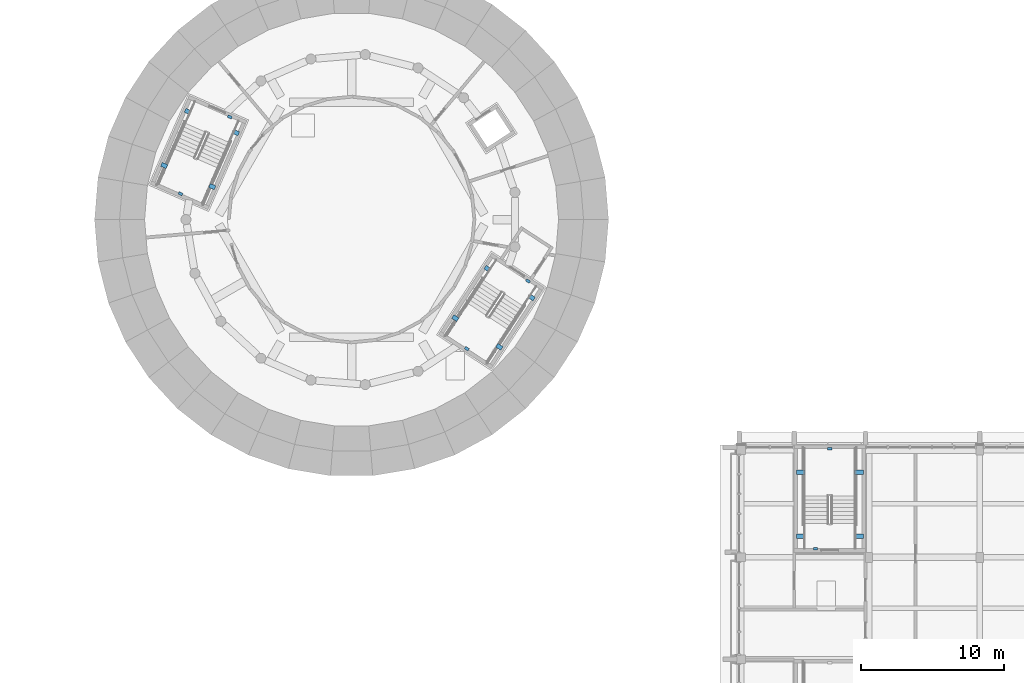
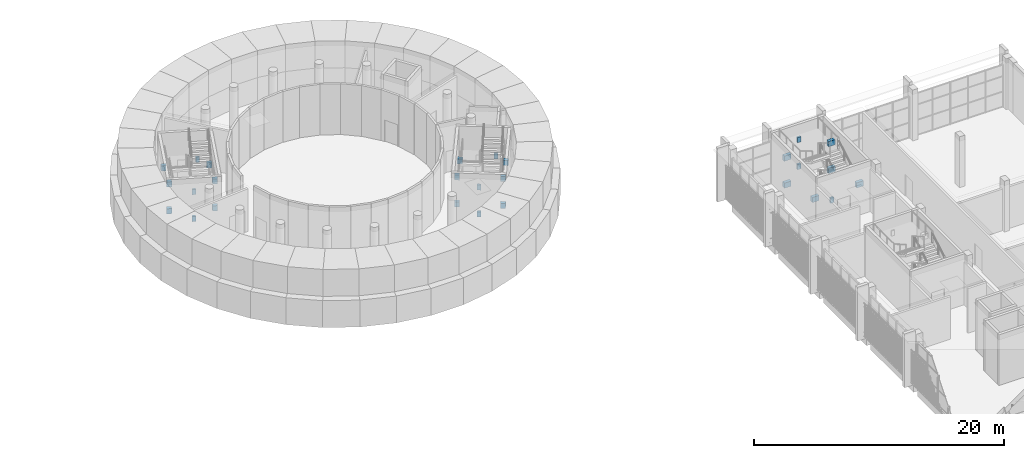
# One storey, part 55 of 125: 27 beams.
"""IFC4 building model written with IfcOpenShell, lengths in metres."""

from ifc_helpers import new_model, si_unit, direction, frame, origin, origin_2d, place, context, subcontext, project, spatial, rectangle, extrude, material, material_profile, profile_set, type_object, element, save


model = new_model("IFC4")

# Units and contexts
model_context = context("Model", 3, precision=1e-05, world=origin(), true_north=direction((0.0, 1.0)))
body_context = subcontext(model_context, "Body", "Model", "MODEL_VIEW")
ifc_project = project(units=[si_unit("LENGTHUNIT", "METRE"), si_unit("AREAUNIT", "SQUARE_METRE"), si_unit("VOLUMEUNIT", "CUBIC_METRE"), si_unit("PLANEANGLEUNIT", "RADIAN"), si_unit("MASSUNIT", "GRAM", prefix="KILO")], contexts=[model_context])

# Site, building, storey
site_placement = place(None, origin())
site = spatial("IfcSite", under=ifc_project, at=site_placement, CompositionType="ELEMENT")
building_placement = place(site_placement, origin())
building = spatial("IfcBuilding", under=site, at=building_placement, Name="Sun Court Science Centre", CompositionType="ELEMENT")
storey_placement = place(building_placement, frame((0.0, 0.0, 6.0)))
storey = spatial("IfcBuildingStorey", under=building, at=storey_placement, Name="L01", CompositionType="ELEMENT", Elevation=6.0)

# Beams
ifc_material = material(Name="Concrete C25/30", Category="concrete")
ifc_material_profile = material_profile(ifc_material, rectangle(XDim=0.300048828125, YDim=0.5, at=origin_2d()), Name="RC 300x500")
ifc_profile_set = profile_set([ifc_material_profile], Name="Concrete C25/30")
beam_type = type_object("IfcBeamType", Name="RC landing trimmer 300x500", PredefinedType="BEAM", material=ifc_profile_set)
for number, where, z_axis, x_axis, name in (
    (1, (86.85009765625, 79.10400390625, 0.862548828125), (-1.0, 0.0, 0.0), (0.0, -1.0, 0.0), "SL4 landing 1 trimmer beam 10"),
    (2, (82.14990234375, 79.10400390625, 0.862548828125), (1.0, 0.0, 0.0), (0.0, 1.0, 0.0), "SL4 landing 1 trimmer beam 11"),
):
    element("IfcBeam", number, at=place(storey_placement, frame(where, z_axis=z_axis, x_axis=x_axis)), inside=storey, type_object=beam_type, Name=name, PredefinedType="BEAM", context=body_context, shape_type="SweptSolid", body=[
        extrude(rectangle(XDim=0.300048828125, YDim=0.5, at=origin_2d()), origin(), (0.0, 0.0, 1.0), 0.6171875),
    ])
beam_1_placement = place(storey_placement, frame((84.5, 80.85009765625, 0.862548828125), z_axis=(0.0, -1.0, 0.0), x_axis=(1.0, 0.0, 0.0)))
element("IfcBeam", 3, at=beam_1_placement, inside=storey, type_object=beam_type, Name="SL4 landing 1 trimmer beam 12", PredefinedType="BEAM", context=body_context, shape_type="SweptSolid", body=[
    extrude(rectangle(XDim=0.300048828125, YDim=0.5, at=origin_2d()), origin(), (0.0, 0.0, 1.0), 0.190185546875),
])
for number, where, z_axis, x_axis, name in (
    (4, (86.85009765625, 74.6240234375, 2.175048828125), (-1.0, 0.0, 0.0), (0.0, -1.0, 0.0), "SL4 landing 2 trimmer beam 13"),
    (5, (82.14990234375, 74.6240234375, 2.175048828125), (1.0, 0.0, 0.0), (0.0, 1.0, 0.0), "SL4 landing 2 trimmer beam 14"),
):
    element("IfcBeam", number, at=place(storey_placement, frame(where, z_axis=z_axis, x_axis=x_axis)), inside=storey, type_object=beam_type, Name=name, PredefinedType="BEAM", context=body_context, shape_type="SweptSolid", body=[
        extrude(rectangle(XDim=0.300048828125, YDim=0.5, at=origin_2d()), origin(), (0.0, 0.0, 1.0), 0.6171875),
    ])
beam_2_placement = place(storey_placement, frame((83.5, 73.64990234375, 2.175048828125), z_axis=(0.0, 1.0, 0.0), x_axis=(-1.0, 0.0, 0.0)))
element("IfcBeam", 6, at=beam_2_placement, inside=storey, type_object=beam_type, Name="SL4 landing 2 trimmer beam 15", PredefinedType="BEAM", context=body_context, shape_type="SweptSolid", body=[
    extrude(rectangle(XDim=0.300048828125, YDim=0.5, at=origin_2d()), origin(), (0.0, 0.0, 1.0), 0.190185546875),
])
for number, where, z_axis, x_axis, name in (
    (7, (86.85009765625, 79.10400390625, 3.487548828125), (-1.0, 0.0, 0.0), (0.0, -1.0, 0.0), "SL4 landing 3 trimmer beam 16"),
    (8, (82.14990234375, 79.10400390625, 3.487548828125), (1.0, 0.0, 0.0), (0.0, 1.0, 0.0), "SL4 landing 3 trimmer beam 17"),
):
    element("IfcBeam", number, at=place(storey_placement, frame(where, z_axis=z_axis, x_axis=x_axis)), inside=storey, type_object=beam_type, Name=name, PredefinedType="BEAM", context=body_context, shape_type="SweptSolid", body=[
        extrude(rectangle(XDim=0.300048828125, YDim=0.5, at=origin_2d()), origin(), (0.0, 0.0, 1.0), 0.6171875),
    ])
beam_3_placement = place(storey_placement, frame((84.5, 80.85009765625, 3.487548828125), z_axis=(0.0, -1.0, 0.0), x_axis=(1.0, 0.0, 0.0)))
element("IfcBeam", 9, at=beam_3_placement, inside=storey, type_object=beam_type, Name="SL4 landing 3 trimmer beam 18", PredefinedType="BEAM", context=body_context, shape_type="SweptSolid", body=[
    extrude(rectangle(XDim=0.300048828125, YDim=0.5, at=origin_2d()), origin(), (0.0, 0.0, 1.0), 0.190185546875),
])
for number, where, z_axis, x_axis, name in (
    (10, (58.092041015625, 90.01171875, 0.862548828125), (0.837237681935, -0.546839157292, 0.0), (0.546839157292, 0.837237681935, 0.0), "PS1 landing 1 trimmer beam 10"),
    (11, (61.5244140625, 87.769287109375, 0.862548828125), (-0.837237681935, 0.546839157292, 0.0), (-0.546839157292, -0.837237681935, 0.0), "PS1 landing 1 trimmer beam 11"),
):
    element("IfcBeam", number, at=place(storey_placement, frame(where, z_axis=z_axis, x_axis=x_axis)), inside=storey, type_object=beam_type, Name=name, PredefinedType="BEAM", context=body_context, shape_type="SweptSolid", body=[
        extrude(rectangle(XDim=0.300048828125, YDim=0.5, at=origin_2d()), origin(), (0.0, 0.0, 1.0), 0.4169921875),
    ])
beam_4_placement = place(storey_placement, frame((59.017333984375, 87.679931640625, 0.862548828125), z_axis=(0.546660080791, 0.837354617871, 0.0), x_axis=(-0.837354617871, 0.546660080791, 0.0)))
element("IfcBeam", 12, at=beam_4_placement, inside=storey, type_object=beam_type, Name="PS1 landing 1 trimmer beam 12", PredefinedType="BEAM", context=body_context, shape_type="SweptSolid", body=[
    extrude(rectangle(XDim=0.300048828125, YDim=0.5, at=origin_2d()), origin(), (0.0, 0.0, 1.0), 0.189697265625),
])
for number, where, z_axis, x_axis, name in (
    (13, (60.350830078125, 93.46923828125, 2.175048828125), (0.837237681935, -0.546839157292, 0.0), (0.546839157292, 0.837237681935, 0.0), "PS1 landing 2 trimmer beam 13"),
    (14, (63.783203125, 91.226806640625, 2.175048828125), (-0.837237681935, 0.546839157292, 0.0), (-0.546839157292, -0.837237681935, 0.0), "PS1 landing 2 trimmer beam 14"),
):
    element("IfcBeam", number, at=place(storey_placement, frame(where, z_axis=z_axis, x_axis=x_axis)), inside=storey, type_object=beam_type, Name=name, PredefinedType="BEAM", context=body_context, shape_type="SweptSolid", body=[
        extrude(rectangle(XDim=0.300048828125, YDim=0.5, at=origin_2d()), origin(), (0.0, 0.0, 1.0), 0.4169921875),
    ])
beam_5_placement = place(storey_placement, frame((63.40966796875, 92.574462890625, 2.175048828125), z_axis=(-0.547561006848, -0.836765763986, 0.0), x_axis=(0.836765763986, -0.547561006848, 0.0)))
element("IfcBeam", 15, at=beam_5_placement, inside=storey, type_object=beam_type, Name="PS1 landing 2 trimmer beam 15", PredefinedType="BEAM", context=body_context, shape_type="SweptSolid", body=[
    extrude(rectangle(XDim=0.300048828125, YDim=0.5, at=origin_2d()), origin(), (0.0, 0.0, 1.0), 0.18994140625),
])
for number, where, z_axis, x_axis, name in (
    (16, (58.092041015625, 90.01171875, 3.487548828125), (0.837237681935, -0.546839157292, 0.0), (0.546839157292, 0.837237681935, 0.0), "PS1 landing 3 trimmer beam 16"),
    (17, (61.5244140625, 87.769287109375, 3.487548828125), (-0.837237681935, 0.546839157292, 0.0), (-0.546839157292, -0.837237681935, 0.0), "PS1 landing 3 trimmer beam 17"),
):
    element("IfcBeam", number, at=place(storey_placement, frame(where, z_axis=z_axis, x_axis=x_axis)), inside=storey, type_object=beam_type, Name=name, PredefinedType="BEAM", context=body_context, shape_type="SweptSolid", body=[
        extrude(rectangle(XDim=0.300048828125, YDim=0.5, at=origin_2d()), origin(), (0.0, 0.0, 1.0), 0.4169921875),
    ])
beam_6_placement = place(storey_placement, frame((59.017333984375, 87.679931640625, 3.487548828125), z_axis=(0.546660080791, 0.837354617871, 0.0), x_axis=(-0.837354617871, 0.546660080791, 0.0)))
element("IfcBeam", 18, at=beam_6_placement, inside=storey, type_object=beam_type, Name="PS1 landing 3 trimmer beam 18", PredefinedType="BEAM", context=body_context, shape_type="SweptSolid", body=[
    extrude(rectangle(XDim=0.300048828125, YDim=0.5, at=origin_2d()), origin(), (0.0, 0.0, 1.0), 0.189697265625),
])
for number, where, z_axis, x_axis, name in (
    (19, (37.683349609375, 100.671142578125, 0.862548828125), (0.915875049438, -0.401463440201, 0.0), (0.401463440201, 0.915875049438, 0.0), "PS2 landing 1 trimmer beam 10"),
    (20, (41.438232421875, 99.0244140625, 0.862548828125), (-0.915875049438, 0.401463440201, 0.0), (-0.401463440201, -0.915875049438, 0.0), "PS2 landing 1 trimmer beam 11"),
):
    element("IfcBeam", number, at=place(storey_placement, frame(where, z_axis=z_axis, x_axis=x_axis)), inside=storey, type_object=beam_type, Name=name, PredefinedType="BEAM", context=body_context, shape_type="SweptSolid", body=[
        extrude(rectangle(XDim=0.300048828125, YDim=0.5, at=origin_2d()), origin(), (0.0, 0.0, 1.0), 0.417236328125),
    ])
beam_7_placement = place(storey_placement, frame((38.97998046875, 98.523681640625, 0.862548828125), z_axis=(0.401358633124, 0.915920983282, 0.0), x_axis=(-0.915920983282, 0.401358633124, 0.0)))
element("IfcBeam", 21, at=beam_7_placement, inside=storey, type_object=beam_type, Name="PS2 landing 1 trimmer beam 12", PredefinedType="BEAM", context=body_context, shape_type="SweptSolid", body=[
    extrude(rectangle(XDim=0.300048828125, YDim=0.5, at=origin_2d()), origin(), (0.0, 0.0, 1.0), 0.189697265625),
])
for number, where, z_axis, x_axis, name in (
    (22, (39.342529296875, 104.453369140625, 2.175048828125), (0.915780651359, -0.401678725596, 0.0), (0.401678725596, 0.915780651359, 0.0), "PS2 landing 2 trimmer beam 13"),
    (23, (43.09716796875, 102.806396484375, 2.175048828125), (-0.915780651359, 0.401678725596, 0.0), (-0.401678725596, -0.915780651359, 0.0), "PS2 landing 2 trimmer beam 14"),
):
    element("IfcBeam", number, at=place(storey_placement, frame(where, z_axis=z_axis, x_axis=x_axis)), inside=storey, type_object=beam_type, Name=name, PredefinedType="BEAM", context=body_context, shape_type="SweptSolid", body=[
        extrude(rectangle(XDim=0.300048828125, YDim=0.5, at=origin_2d()), origin(), (0.0, 0.0, 1.0), 0.4169921875),
    ])
beam_8_placement = place(storey_placement, frame((42.5068359375, 104.074462890625, 2.175048828125), z_axis=(-0.40196380082, -0.915655559056, 0.0), x_axis=(0.915655559056, -0.40196380082, 0.0)))
element("IfcBeam", 24, at=beam_8_placement, inside=storey, type_object=beam_type, Name="PS2 landing 2 trimmer beam 15", PredefinedType="BEAM", context=body_context, shape_type="SweptSolid", body=[
    extrude(rectangle(XDim=0.300048828125, YDim=0.5, at=origin_2d()), origin(), (0.0, 0.0, 1.0), 0.190185546875),
])
for number, where, z_axis, x_axis, name in (
    (25, (37.683349609375, 100.671142578125, 3.487548828125), (0.915875049438, -0.401463440201, 0.0), (0.401463440201, 0.915875049438, 0.0), "PS2 landing 3 trimmer beam 16"),
    (26, (41.438232421875, 99.0244140625, 3.487548828125), (-0.915875049438, 0.401463440201, 0.0), (-0.401463440201, -0.915875049438, 0.0), "PS2 landing 3 trimmer beam 17"),
):
    element("IfcBeam", number, at=place(storey_placement, frame(where, z_axis=z_axis, x_axis=x_axis)), inside=storey, type_object=beam_type, Name=name, PredefinedType="BEAM", context=body_context, shape_type="SweptSolid", body=[
        extrude(rectangle(XDim=0.300048828125, YDim=0.5, at=origin_2d()), origin(), (0.0, 0.0, 1.0), 0.417236328125),
    ])
beam_9_placement = place(storey_placement, frame((38.97998046875, 98.523681640625, 3.487548828125), z_axis=(0.401358633124, 0.915920983282, 0.0), x_axis=(-0.915920983282, 0.401358633124, 0.0)))
element("IfcBeam", 27, at=beam_9_placement, inside=storey, type_object=beam_type, Name="PS2 landing 3 trimmer beam 18", PredefinedType="BEAM", context=body_context, shape_type="SweptSolid", body=[
    extrude(rectangle(XDim=0.300048828125, YDim=0.5, at=origin_2d()), origin(), (0.0, 0.0, 1.0), 0.189697265625),
])

save(model, "model.ifc")
